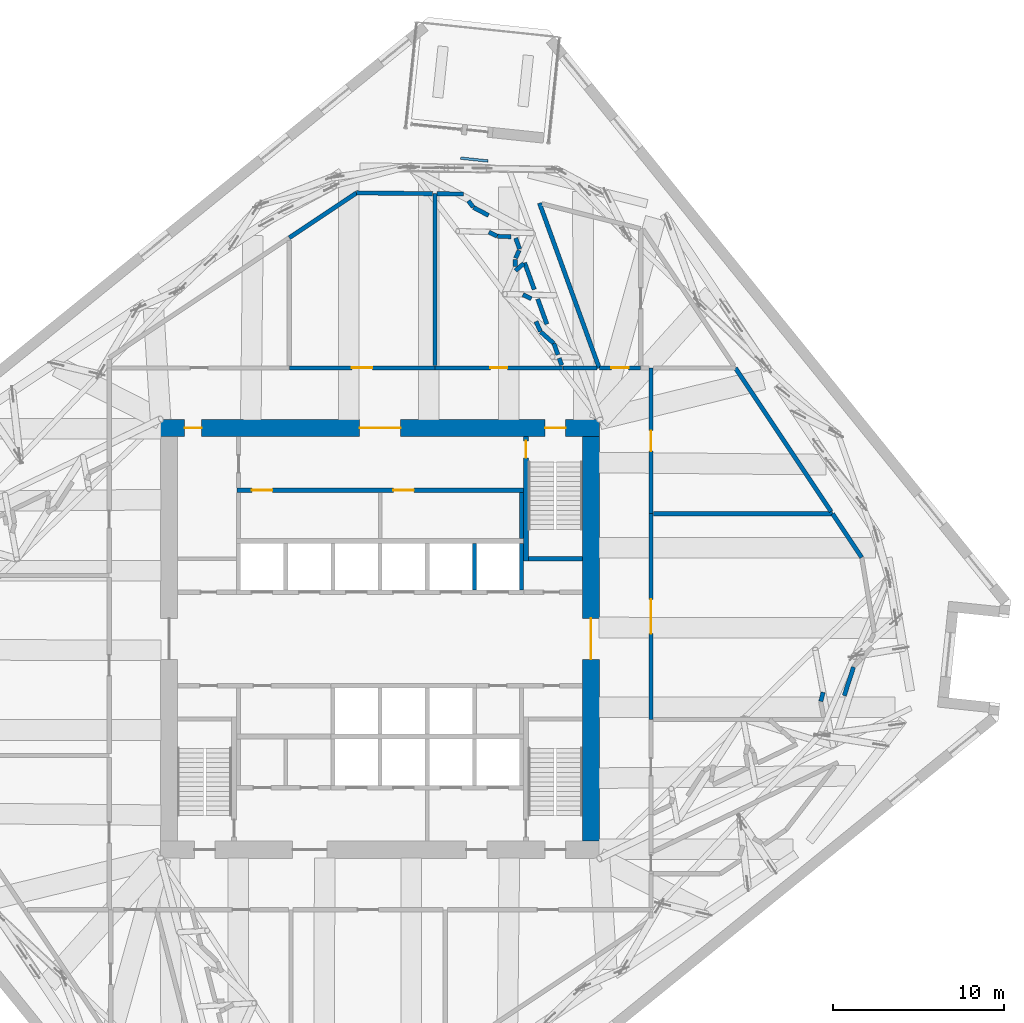
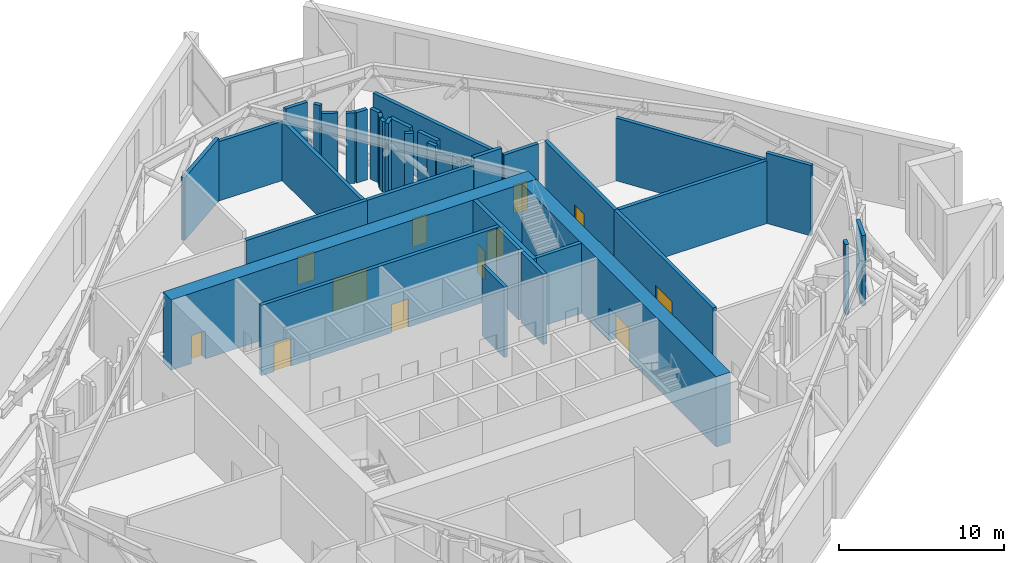
# One storey, part 11 of 17: 40 walls, 12 doors, 12 openings.
"""IFC4 building model written with IfcOpenShell, lengths in metres."""

import ifcopenshell
import ifcopenshell.guid

model = None  # the IFC model being written
_history = None  # IfcOwnerHistory: only IFC2X3 demands one
_inside = {}  # id of a spatial element -> (the spatial element, [elements in it])
_under = {}  # id of a project, library or spatial element -> (it, [spatial elements below it])
_declared = {}  # id of a project -> (the project, [libraries it declares])
_typed = {}  # id of a type object -> (the type object, [elements of that type])
_made_of = {}  # id of a material, layer set ... -> (it, [elements and type objects made of it])


def new_model(schema):
    """Start an empty IFC model of exactly this schema.

    Asked for "IFC4X3", IfcOpenShell would pick the latest addendum, in which some entities
    have other attributes; the version numbers below select the first issue.
    IFC2X3 requires an IfcOwnerHistory on every rooted entity: one is made here for all.
    """
    global model, _history
    if schema == "IFC4X3":
        model = ifcopenshell.file(schema_version=(4, 3, 0, 0))
    else:
        model = ifcopenshell.file(schema=schema)
    _inside.clear()
    _under.clear()
    _declared.clear()
    _typed.clear()
    _made_of.clear()
    _history = None
    if model.schema == "IFC2X3":
        org = make("IfcOrganization", Name="unknown")
        user = make(
            "IfcPersonAndOrganization",
            ThePerson=make("IfcPerson", FamilyName="unknown"),
            TheOrganization=org,
        )
        app = make(
            "IfcApplication",
            ApplicationDeveloper=org,
            Version="unknown",
            ApplicationFullName="unknown",
            ApplicationIdentifier="unknown",
        )
        _history = make(
            "IfcOwnerHistory",
            OwningUser=user,
            OwningApplication=app,
            ChangeAction="ADDED",
            CreationDate=0,
        )
    return model


def make(cls, **values):
    """One entity of the class cls with the attributes given. An attribute that is None is left unset."""
    return model.create_entity(
        cls, **{name: value for name, value in values.items() if value is not None}
    )


def rooted(cls, **values):
    """An entity with a GlobalId (a new one), such as an element, a storey or a relation."""
    return make(cls, GlobalId=ifcopenshell.guid.new(), OwnerHistory=_history, **values)


def si_unit(unit_type, name, prefix=None):
    """IfcSIUnit, for example si_unit("LENGTHUNIT", "METRE", prefix="MILLI")."""
    return make("IfcSIUnit", UnitType=unit_type, Prefix=prefix, Name=name)


def assignment(units):
    """IfcUnitAssignment: the units of a project."""
    return None if units is None else make("IfcUnitAssignment", Units=units)


def point(xyz):
    """IfcCartesianPoint."""
    return None if xyz is None else make("IfcCartesianPoint", Coordinates=xyz)


def direction(xyz):
    """IfcDirection."""
    return None if xyz is None else make("IfcDirection", DirectionRatios=xyz)


def frame(location, z_axis=None, x_axis=None):
    """IfcAxis2Placement3D, a coordinate frame: its origin and axes. An axis left out is left unset."""
    return make(
        "IfcAxis2Placement3D",
        Location=point(location),
        Axis=direction(z_axis),
        RefDirection=direction(x_axis),
    )


def frame_2d(location, x_axis=None):
    """IfcAxis2Placement2D, a coordinate frame in the plane: its origin and x axis."""
    return make(
        "IfcAxis2Placement2D", Location=point(location), RefDirection=direction(x_axis)
    )


def origin():
    """The frame at (0, 0, 0) with its axes left unset."""
    return frame((0.0, 0.0, 0.0))


def place(relative_to, where):
    """IfcLocalPlacement: puts the frame where relative to a parent placement (None: the world)."""
    return make(
        "IfcLocalPlacement", PlacementRelTo=relative_to, RelativePlacement=where
    )


def context(
    kind, dimensions, precision=None, world=None, true_north=None, identifier=None
):
    """IfcGeometricRepresentationContext, for example the 3D "Model" context."""
    return make(
        "IfcGeometricRepresentationContext",
        ContextIdentifier=identifier,
        ContextType=kind,
        CoordinateSpaceDimension=dimensions,
        Precision=precision,
        WorldCoordinateSystem=world,
        TrueNorth=true_north,
    )


def subcontext(parent, identifier, kind, view, scale=None):
    """IfcGeometricRepresentationSubContext, for example "Body" below "Model"."""
    return make(
        "IfcGeometricRepresentationSubContext",
        ContextIdentifier=identifier,
        ContextType=kind,
        ParentContext=parent,
        TargetScale=scale,
        TargetView=view,
    )


def project(units=None, contexts=None):
    """IfcProject with its units and contexts."""
    return rooted(
        "IfcProject",
        Name="project",
        RepresentationContexts=contexts,
        UnitsInContext=assignment(units),
    )


def spatial(cls, under=None, at=None, **own):
    """A site, building, storey or space (cls), placed at a placement, below another one or the project."""
    s = rooted(cls, ObjectPlacement=at, **own)
    if under is not None:
        _under.setdefault(under.id(), (under, []))[1].append(s)
    return s


def profile(cls, at=None, kind="AREA", **sizes):
    """A parametric profile (cls). Its sizes go by their IFC names, for example OverallWidth=200.0."""
    return make(cls, ProfileType=kind, Position=at, **sizes)


def rectangle(**sizes):
    """IfcRectangleProfileDef."""
    return profile("IfcRectangleProfileDef", **sizes)


def extrude(swept, where, along, depth):
    """IfcExtrudedAreaSolid: the profile swept, set in the frame where, extruded along a direction by depth."""
    return make(
        "IfcExtrudedAreaSolid",
        SweptArea=swept,
        Position=where,
        ExtrudedDirection=direction(along),
        Depth=depth,
    )


def shape(context_of_items, identifier, shape_type, items):
    """IfcShapeRepresentation: the items that make up one representation, for example the "Body"."""
    return make(
        "IfcShapeRepresentation",
        ContextOfItems=context_of_items,
        RepresentationIdentifier=identifier,
        RepresentationType=shape_type,
        Items=items,
    )


def material(Name=None, Category=None):
    """IfcMaterial."""
    return make("IfcMaterial", Name=Name, Category=Category)


def layer(
    of_material, thickness, ventilated=None, Name=None, Category=None, Priority=None
):
    """IfcMaterialLayer: one layer of a wall or slab, of a material (None: an air gap)."""
    return make(
        "IfcMaterialLayer",
        Material=of_material,
        LayerThickness=thickness,
        IsVentilated=ventilated,
        Name=Name,
        Category=Category,
        Priority=Priority,
    )


def layer_set(layers, Name=None):
    """IfcMaterialLayerSet."""
    return make("IfcMaterialLayerSet", MaterialLayers=layers, LayerSetName=Name)


def made_of(thing, what):
    """Note that an element or type object is made of a material, layer set ...; save() writes the relation."""
    if what is not None:
        _made_of.setdefault(what.id(), (what, []))[1].append(thing)
    return thing


def type_object(cls, material=None, **own):
    """A type object (cls), such as IfcWallType, which elements share."""
    return made_of(rooted(cls, **own), material)


def element(
    cls,
    number,
    at=None,
    inside=None,
    cuts=None,
    type_object=None,
    material=None,
    context=None,
    identifier="Body",
    shape_type=None,
    held_by="IfcProductDefinitionShape",
    body=None,
    shapes=None,
    **own,
):
    """One element of the class cls, such as IfcWall. Its Tag is "e" and its number.

    at: its placement. inside: the storey or other place that contains it. cuts: it is an
    opening in that element (IfcRelVoidsElement). A single representation is given by context,
    identifier, shape_type and body (its items); several are given by shapes. held_by: the class
    of the entity that holds the representations. save() writes the other relations.
    """
    e = rooted(cls, Tag="e%d" % number, ObjectPlacement=at, **own)
    if body is not None:
        shapes = [shape(context, identifier, shape_type, body)]
    if shapes is not None:
        e.Representation = make(held_by, Representations=shapes)
    if inside is not None:
        _inside.setdefault(inside.id(), (inside, []))[1].append(e)
    if cuts is not None:
        rooted(
            "IfcRelVoidsElement", RelatingBuildingElement=cuts, RelatedOpeningElement=e
        )
    if type_object is not None:
        _typed.setdefault(type_object.id(), (type_object, []))[1].append(e)
    return made_of(e, material)


def fill(opening, filler):
    """IfcRelFillsElement: the door or window that sits in an opening."""
    return rooted(
        "IfcRelFillsElement",
        RelatingOpeningElement=opening,
        RelatedBuildingElement=filler,
    )


def aggregate(whole, parts):
    """IfcRelAggregates: a whole, such as a stair, and the parts it consists of."""
    return rooted("IfcRelAggregates", RelatingObject=whole, RelatedObjects=parts)


def save(model, path):
    """Write the relations noted so far, then the file.

    IfcRelAggregates (storeys below a building ...), IfcRelContainedInSpatialStructure (elements
    in a storey), IfcRelDefinesByType, IfcRelAssociatesMaterial and IfcRelDeclares: one each for
    every whole, place, type object, material and project.
    """
    for whole, parts in _under.values():
        aggregate(whole, parts)
    for where, things in _inside.values():
        rooted(
            "IfcRelContainedInSpatialStructure",
            RelatedElements=things,
            RelatingStructure=where,
        )
    for kind, things in _typed.values():
        rooted("IfcRelDefinesByType", RelatedObjects=things, RelatingType=kind)
    for what, things in _made_of.values():
        rooted("IfcRelAssociatesMaterial", RelatedObjects=things, RelatingMaterial=what)
    for by, libraries in _declared.values():
        rooted("IfcRelDeclares", RelatingContext=by, RelatedDefinitions=libraries)
    model.write(path)


model = new_model("IFC4")

# Units and contexts
model_context = context("Model", 3, precision=1e-05, world=origin(), true_north=direction((0.0, 1.0)))
body_context = subcontext(model_context, "Body", "Model", "MODEL_VIEW")
ifc_project = project(units=[si_unit("LENGTHUNIT", "METRE"), si_unit("AREAUNIT", "SQUARE_METRE"), si_unit("VOLUMEUNIT", "CUBIC_METRE"), si_unit("PLANEANGLEUNIT", "RADIAN"), si_unit("MASSUNIT", "GRAM", prefix="KILO")], contexts=[model_context])

# Site, building, storey
site_placement = place(None, origin())
site = spatial("IfcSite", under=ifc_project, at=site_placement, CompositionType="ELEMENT")
building_placement = place(site_placement, origin())
building = spatial("IfcBuilding", under=site, at=building_placement, Name="Dilmun Exchange Tower", CompositionType="ELEMENT")
storey_placement = place(building_placement, frame((0.0, 0.0, 183.699951171875)))
storey = spatial("IfcBuildingStorey", under=building, at=storey_placement, Name="L43", CompositionType="ELEMENT", Elevation=183.699951171875)

# Wall
ifc_material_1 = material(Name="Concrete C40/50", Category="concrete")
ifc_layer_1 = layer(ifc_material_1, 0.25)
ifc_layer_set_1 = layer_set([ifc_layer_1], Name="Concrete C40/50")
wall_type_1 = type_object("IfcWallType", Name="Core partition wall 250", PredefinedType="PARTITIONING", material=ifc_layer_set_1)
wall_1_placement = place(storey_placement, frame((8.25, 5.85498046875, 0.0), z_axis=(0.0, 0.0, 1.0), x_axis=(0.0, 1.0, 0.0)))
element("IfcWall", 1, at=wall_1_placement, inside=storey, type_object=wall_type_1, Name="L43 core partition wall 15", PredefinedType="PARTITIONING", context=body_context, shape_type="SweptSolid", body=[
    extrude(rectangle(XDim=2.68994140625, YDim=0.25, at=frame_2d((1.344970703125, 0.0))), origin(), (0.0, 0.0, 1.0), 5.219970703125),
])

# Wall, openings, doors
wall_2_placement = place(storey_placement, frame((-8.35009765625, 8.675048828125, 0.0), z_axis=(0.0, 0.0, 1.0), x_axis=(1.0, 0.0, 0.0)))
wall_2 = element("IfcWall", 2, at=wall_2_placement, inside=storey, type_object=wall_type_1, Name="L43 core partition wall 16", PredefinedType="PARTITIONING", context=body_context, shape_type="SweptSolid", body=[
    extrude(rectangle(XDim=16.72021484375, YDim=0.25, at=frame_2d((8.360107421875, 0.0))), origin(), (0.0, 0.0, 1.0), 5.219970703125),
])
opening_1_placement = place(wall_2_placement, frame((0.875, 0.0, 0.0)))
opening_1 = element("IfcOpeningElement", 3, at=opening_1_placement, cuts=wall_2, Name="Opening CD3", PredefinedType="OPENING", context=body_context, shape_type="SweptSolid", body=[
    extrude(rectangle(XDim=1.199951171875, YDim=2.10009765625, at=frame_2d((0.60009765625, 1.050048828125))), frame((0.0, 0.135009765625, 0.0), z_axis=(0.0, -1.0, 0.0), x_axis=(1.0, 0.0, 0.0)), (0.0, 0.0, 1.0), 0.27001953125),
])
opening_2_placement = place(wall_2_placement, frame((9.125, 0.0, 0.0)))
opening_2 = element("IfcOpeningElement", 4, at=opening_2_placement, cuts=wall_2, Name="Opening CD3", PredefinedType="OPENING", context=body_context, shape_type="SweptSolid", body=[
    extrude(rectangle(XDim=1.199951171875, YDim=2.10009765625, at=frame_2d((0.60009765625, 1.050048828125))), frame((0.0, 0.135009765625, 0.0), z_axis=(0.0, -1.0, 0.0), x_axis=(1.0, 0.0, 0.0)), (0.0, 0.0, 1.0), 0.27001953125),
])
ifc_material_2 = material(Name="Fire-rated steel door set", Category="steel")
door_type_1 = type_object("IfcDoorType", Name="Stair exit door 1200x2100", OperationType="SINGLE_SWING_LEFT", PredefinedType="DOOR", material=ifc_material_2)
door_1_placement = place(opening_1_placement, origin())
door_1 = element("IfcDoor", 5, at=door_1_placement, inside=storey, type_object=door_type_1, Name="L43 door Building management office", OperationType="SINGLE_SWING_LEFT", OverallHeight=2.10009765625, OverallWidth=1.199951171875, PredefinedType="DOOR", context=body_context, shape_type="SweptSolid", body=[
    extrude(rectangle(XDim=1.199951171875, YDim=2.10009765625, at=frame_2d((0.60009765625, 1.050048828125))), frame((0.0, 0.02490234375, 0.0), z_axis=(0.0, -1.0, 0.0), x_axis=(1.0, 0.0, 0.0)), (0.0, 0.0, 1.0), 0.050048828125),
])
fill(opening_1, door_1)
door_2_placement = place(opening_2_placement, origin())
door_2 = element("IfcDoor", 6, at=door_2_placement, inside=storey, type_object=door_type_1, Name="L43 door Tenant meeting suite", OperationType="SINGLE_SWING_LEFT", OverallHeight=2.10009765625, OverallWidth=1.199951171875, PredefinedType="DOOR", context=body_context, shape_type="SweptSolid", body=[
    extrude(rectangle(XDim=1.199951171875, YDim=2.10009765625, at=frame_2d((0.60009765625, 1.050048828125))), frame((0.0, 0.02490234375, 0.0), z_axis=(0.0, -1.0, 0.0), x_axis=(1.0, 0.0, 0.0)), (0.0, 0.0, 1.0), 0.050048828125),
])
fill(opening_2, door_2)

ifc_material_3 = material(Name="Concrete C70/85", Category="concrete")
ifc_layer_2 = layer(ifc_material_3, 1.0)
ifc_layer_set_2 = layer_set([ifc_layer_2], Name="Concrete C70/85")
wall_type_2 = type_object("IfcWallType", Name="Core shear wall 1000 Concrete C70/85", PredefinedType="SHEAR", material=ifc_layer_set_2)
wall_3_placement = place(storey_placement, frame((-12.800048828125, 12.300048828125, 0.0), z_axis=(0.0, 0.0, 1.0), x_axis=(1.0, 0.0, 0.0)))
wall_3 = element("IfcWall", 7, at=wall_3_placement, inside=storey, type_object=wall_type_2, Name="L43 core shear wall N", PredefinedType="SHEAR", context=body_context, shape_type="SweptSolid", body=[
    extrude(rectangle(XDim=25.60009765625, YDim=1.0, at=frame_2d((12.800048828125, 0.0))), origin(), (0.0, 0.0, 1.0), 5.219970703125),
])
opening_3_placement = place(wall_3_placement, frame((11.60009765625, 0.0, 0.0)))
opening_3 = element("IfcOpeningElement", 8, at=opening_3_placement, cuts=wall_3, Name="Opening CD1", PredefinedType="OPENING", context=body_context, shape_type="SweptSolid", body=[
    extrude(rectangle(XDim=2.39990234375, YDim=2.39990234375, at=frame_2d((1.199951171875, 1.199951171875))), frame((0.0, 0.510009765625, 0.0), z_axis=(0.0, -1.0, 0.0), x_axis=(1.0, 0.0, 0.0)), (0.0, 0.0, 1.0), 1.02001953125),
])
opening_4_placement = place(wall_3_placement, frame((22.425048828125, 0.0, 0.0)))
opening_4 = element("IfcOpeningElement", 9, at=opening_4_placement, cuts=wall_3, Name="Opening CD3", PredefinedType="OPENING", context=body_context, shape_type="SweptSolid", body=[
    extrude(rectangle(XDim=1.199951171875, YDim=2.10009765625, at=frame_2d((0.60009765625, 1.050048828125))), frame((0.0, 0.510009765625, 0.0), z_axis=(0.0, -1.0, 0.0), x_axis=(1.0, 0.0, 0.0)), (0.0, 0.0, 1.0), 1.02001953125),
])
opening_5_placement = place(wall_3_placement, frame((1.39990234375, 0.0, 0.0)))
opening_5 = element("IfcOpeningElement", 10, at=opening_5_placement, cuts=wall_3, Name="Opening CD4", PredefinedType="OPENING", context=body_context, shape_type="SweptSolid", body=[
    extrude(rectangle(XDim=1.0, YDim=2.10009765625, at=frame_2d((0.5, 1.050048828125))), frame((0.0, 0.510009765625, 0.0), z_axis=(0.0, -1.0, 0.0), x_axis=(1.0, 0.0, 0.0)), (0.0, 0.0, 1.0), 1.02001953125),
])
door_type_2 = type_object("IfcDoorType", Name="Core lobby door 2400x2400", OperationType="DOUBLE_DOOR_DOUBLE_SWING", PredefinedType="DOOR", material=ifc_material_2)
door_3_placement = place(opening_3_placement, origin())
door_3 = element("IfcDoor", 11, at=door_3_placement, inside=storey, type_object=door_type_2, Name="L43 door North lift lobby", OperationType="SINGLE_SWING_LEFT", OverallHeight=2.39990234375, OverallWidth=2.39990234375, PredefinedType="DOOR", context=body_context, shape_type="SweptSolid", body=[
    extrude(rectangle(XDim=2.39990234375, YDim=2.39990234375, at=frame_2d((1.199951171875, 1.199951171875))), frame((0.0, 0.02490234375, 0.0), z_axis=(0.0, -1.0, 0.0), x_axis=(1.0, 0.0, 0.0)), (0.0, 0.0, 1.0), 0.050048828125),
])
fill(opening_3, door_3)
door_type_3 = type_object("IfcDoorType", Name="Core room door 1000x2100", OperationType="SINGLE_SWING_LEFT", PredefinedType="DOOR", material=ifc_material_2)
door_4_placement = place(opening_5_placement, origin())
door_4 = element("IfcDoor", 12, at=door_4_placement, inside=storey, type_object=door_type_3, Name="L43 door North-west core rooms", OperationType="SINGLE_SWING_LEFT", OverallHeight=2.10009765625, OverallWidth=1.0, PredefinedType="DOOR", context=body_context, shape_type="SweptSolid", body=[
    extrude(rectangle(XDim=1.0, YDim=2.10009765625, at=frame_2d((0.5, 1.050048828125))), frame((0.0, 0.02490234375, 0.0), z_axis=(0.0, -1.0, 0.0), x_axis=(1.0, 0.0, 0.0)), (0.0, 0.0, 1.0), 0.050048828125),
])
fill(opening_5, door_4)
door_5_placement = place(opening_4_placement, origin())
door_5 = element("IfcDoor", 13, at=door_5_placement, inside=storey, type_object=door_type_1, Name="L43 door Stair ST1", OperationType="SINGLE_SWING_LEFT", OverallHeight=2.10009765625, OverallWidth=1.199951171875, PredefinedType="DOOR", context=body_context, shape_type="SweptSolid", body=[
    extrude(rectangle(XDim=1.199951171875, YDim=2.10009765625, at=frame_2d((0.60009765625, 1.050048828125))), frame((0.0, 0.02490234375, 0.0), z_axis=(0.0, -1.0, 0.0), x_axis=(1.0, 0.0, 0.0)), (0.0, 0.0, 1.0), 0.050048828125),
])
fill(opening_4, door_5)

# Wall, opening, door
wall_4_placement = place(storey_placement, frame((12.300048828125, -11.800048828125, 0.0), z_axis=(0.0, 0.0, 1.0), x_axis=(0.0, 1.0, 0.0)))
wall_4 = element("IfcWall", 14, at=wall_4_placement, inside=storey, type_object=wall_type_2, Name="L43 core shear wall E", PredefinedType="SHEAR", context=body_context, shape_type="SweptSolid", body=[
    extrude(rectangle(XDim=23.60009765625, YDim=1.0, at=frame_2d((11.800048828125, 0.0))), origin(), (0.0, 0.0, 1.0), 5.219970703125),
])
opening_6_placement = place(wall_4_placement, frame((10.60009765625, 0.0, 0.0)))
opening_6 = element("IfcOpeningElement", 15, at=opening_6_placement, cuts=wall_4, Name="Opening CD1", PredefinedType="OPENING", context=body_context, shape_type="SweptSolid", body=[
    extrude(rectangle(XDim=2.39990234375, YDim=2.39990234375, at=frame_2d((1.199951171875, 1.199951171875))), frame((0.0, 0.510009765625, 0.0), z_axis=(0.0, -1.0, 0.0), x_axis=(1.0, 0.0, 0.0)), (0.0, 0.0, 1.0), 1.02001953125),
])
door_6_placement = place(opening_6_placement, origin())
door_6 = element("IfcDoor", 16, at=door_6_placement, inside=storey, type_object=door_type_2, Name="L43 door Central lift lobby", OperationType="SINGLE_SWING_LEFT", OverallHeight=2.39990234375, OverallWidth=2.39990234375, PredefinedType="DOOR", context=body_context, shape_type="SweptSolid", body=[
    extrude(rectangle(XDim=2.39990234375, YDim=2.39990234375, at=frame_2d((1.199951171875, 1.199951171875))), frame((0.0, 0.02490234375, 0.0), z_axis=(0.0, -1.0, 0.0), x_axis=(1.0, 0.0, 0.0)), (0.0, 0.0, 1.0), 0.050048828125),
])
fill(opening_6, door_6)

# Walls
ifc_layer_3 = layer(ifc_material_1, 0.25)
ifc_layer_set_3 = layer_set([ifc_layer_3], Name="Concrete C40/50")
wall_type_3 = type_object("IfcWallType", Name="Lift shaft wall 250", PredefinedType="SOLIDWALL", material=ifc_layer_set_3)
for number, where, z_axis, x_axis, name in (
    (17, (5.5, 2.85009765625, 0.0), (0.0, 0.0, 1.0), (0.0, 1.0, 0.0), "L43 lift shaft divider N15"),
    (18, (8.25, 2.85009765625, 0.0), (0.0, 0.0, 1.0), (0.0, 1.0, 0.0), "L43 lift shaft divider N16"),
):
    element("IfcWall", number, at=place(storey_placement, frame(where, z_axis=z_axis, x_axis=x_axis)), inside=storey, type_object=wall_type_3, Name=name, PredefinedType="SOLIDWALL", context=body_context, shape_type="SweptSolid", body=[
        extrude(rectangle(XDim=2.699951171875, YDim=0.25, at=frame_2d((1.35009765625, 0.0))), origin(), (0.0, 0.0, 1.0), 5.219970703125),
    ])

# Wall, opening, door
ifc_material_4 = material(Name="Concrete C32/40", Category="concrete")
ifc_layer_4 = layer(ifc_material_4, 0.25)
ifc_layer_set_4 = layer_set([ifc_layer_4], Name="Concrete C32/40")
wall_type_4 = type_object("IfcWallType", Name="Plant room wall 250", PredefinedType="PARTITIONING", material=ifc_layer_set_4)
wall_5_placement = place(storey_placement, frame((15.800048828125, -4.695068359375, 0.0), z_axis=(0.0, 0.0, 1.0), x_axis=(0.0, 1.0, 0.0)))
wall_5 = element("IfcWall", 19, at=wall_5_placement, inside=storey, type_object=wall_type_4, Name="L43 plant room wall 66", PredefinedType="PARTITIONING", context=body_context, shape_type="SweptSolid", body=[
    extrude(rectangle(XDim=11.9951171875, YDim=0.25, at=frame_2d((5.99755859375, 0.0))), origin(), (0.0, 0.0, 1.0), 4.650146484375),
])
opening_7_placement = place(wall_5_placement, frame((4.9951171875, 0.0, 0.0)))
opening_7 = element("IfcOpeningElement", 20, at=opening_7_placement, cuts=wall_5, Name="Opening PD3", PredefinedType="OPENING", context=body_context, shape_type="SweptSolid", body=[
    extrude(rectangle(XDim=2.0, YDim=2.10009765625, at=frame_2d((1.0, 1.050048828125))), frame((0.0, 0.135009765625, 0.0), z_axis=(0.0, -1.0, 0.0), x_axis=(1.0, 0.0, 0.0)), (0.0, 0.0, 1.0), 0.27001953125),
])
door_type_4 = type_object("IfcDoorType", Name="Plant room door 2000x2100", OperationType="DOUBLE_DOOR_DOUBLE_SWING", PredefinedType="DOOR", material=ifc_material_2)
door_7_placement = place(opening_7_placement, origin())
door_7 = element("IfcDoor", 21, at=door_7_placement, inside=storey, type_object=door_type_4, Name="L43 door Water tank room", OperationType="SINGLE_SWING_LEFT", OverallHeight=2.10009765625, OverallWidth=2.0, PredefinedType="DOOR", context=body_context, shape_type="SweptSolid", body=[
    extrude(rectangle(XDim=2.0, YDim=2.10009765625, at=frame_2d((1.0, 1.050048828125))), frame((0.0, 0.02490234375, 0.0), z_axis=(0.0, -1.0, 0.0), x_axis=(1.0, 0.0, 0.0)), (0.0, 0.0, 1.0), 0.050048828125),
])
fill(opening_7, door_7)

# Walls
wall_6_placement = place(storey_placement, frame((25.699951171875, -3.640380859375, 0.0), z_axis=(0.0, 0.0, 1.0), x_axis=(0.250448101466, 0.968130026635, 0.0)))
element("IfcWall", 22, at=wall_6_placement, inside=storey, type_object=wall_type_4, Name="L43 plant room wall 71", PredefinedType="PARTITIONING", context=body_context, shape_type="SweptSolid", body=[
    extrude(rectangle(XDim=0.5439453125, YDim=0.25, at=frame_2d((0.27197265625, 0.0))), origin(), (0.0, 0.0, 1.0), 5.219970703125),
])
wall_7_placement = place(storey_placement, frame((27.067626953125, -3.31103515625, 0.0), z_axis=(0.0, 0.0, 1.0), x_axis=(0.30805429815, 0.951368776759, 0.0)))
element("IfcWall", 23, at=wall_7_placement, inside=storey, type_object=wall_type_4, Name="L43 plant room wall 72", PredefinedType="PARTITIONING", context=body_context, shape_type="SweptSolid", body=[
    extrude(rectangle(XDim=1.75, YDim=0.25, at=frame_2d((0.875, 0.0))), origin(), (0.0, 0.0, 1.0), 5.219970703125),
])

# Wall, opening, door
wall_8_placement = place(storey_placement, frame((15.800048828125, 7.304931640625, 0.0), z_axis=(0.0, 0.0, 1.0), x_axis=(0.0, 1.0, 0.0)))
wall_8 = element("IfcWall", 24, at=wall_8_placement, inside=storey, type_object=wall_type_4, Name="L43 plant room wall 94", PredefinedType="PARTITIONING", context=body_context, shape_type="SweptSolid", body=[
    extrude(rectangle(XDim=8.4951171875, YDim=0.25, at=frame_2d((4.24755859375, 0.0))), origin(), (0.0, 0.0, 1.0), 4.650146484375),
])
opening_8_placement = place(wall_8_placement, frame((3.64501953125, 0.0, 0.0)))
opening_8 = element("IfcOpeningElement", 25, at=opening_8_placement, cuts=wall_8, Name="Opening PD2", PredefinedType="OPENING", context=body_context, shape_type="SweptSolid", body=[
    extrude(rectangle(XDim=1.199951171875, YDim=2.10009765625, at=frame_2d((0.60009765625, 1.050048828125))), frame((0.0, 0.135009765625, 0.0), z_axis=(0.0, -1.0, 0.0), x_axis=(1.0, 0.0, 0.0)), (0.0, 0.0, 1.0), 0.27001953125),
])
door_type_5 = type_object("IfcDoorType", Name="Plant room door 1200x2100", OperationType="SINGLE_SWING_LEFT", PredefinedType="DOOR", material=ifc_material_2)
door_8_placement = place(opening_8_placement, origin())
door_8 = element("IfcDoor", 26, at=door_8_placement, inside=storey, type_object=door_type_5, Name="L43 door Refuge area", OperationType="SINGLE_SWING_RIGHT", OverallHeight=2.10009765625, OverallWidth=1.199951171875, PredefinedType="DOOR", context=body_context, shape_type="SweptSolid", body=[
    extrude(rectangle(XDim=1.199951171875, YDim=2.10009765625, at=frame_2d((0.60009765625, 1.050048828125))), frame((0.0, 0.02490234375, 0.0), z_axis=(0.0, -1.0, 0.0), x_axis=(1.0, 0.0, 0.0)), (0.0, 0.0, 1.0), 0.050048828125),
])
fill(opening_8, door_8)

# Walls
wall_9_placement = place(storey_placement, frame((15.929931640625, 7.300048828125, 0.0), z_axis=(0.0, 0.0, 1.0), x_axis=(1.0, 0.0, 0.0)))
element("IfcWall", 27, at=wall_9_placement, inside=storey, type_object=wall_type_4, Name="L43 plant room wall 95", PredefinedType="PARTITIONING", context=body_context, shape_type="SweptSolid", body=[
    extrude(rectangle(XDim=10.451904296875, YDim=0.25, at=frame_2d((5.22607421875, 0.0))), origin(), (0.0, 0.0, 1.0), 4.650146484375),
])
wall_10_placement = place(storey_placement, frame((26.38671875, 7.29248046875, 0.0), z_axis=(0.0, 0.0, 1.0), x_axis=(0.554755527302, -0.832013404296, 0.0)))
element("IfcWall", 28, at=wall_10_placement, inside=storey, type_object=wall_type_4, Name="L43 plant room wall 96", PredefinedType="PARTITIONING", context=body_context, shape_type="SweptSolid", body=[
    extrude(rectangle(XDim=3.0546875, YDim=0.25, at=frame_2d((1.52734375, 0.0))), origin(), (0.0, 0.0, 1.0), 5.219970703125),
])

# Wall, opening, door
wall_11_placement = place(storey_placement, frame((-5.294921875, 15.800048828125, 0.0), z_axis=(0.0, 0.0, 1.0), x_axis=(1.0, 0.0, 0.0)))
wall_11 = element("IfcWall", 29, at=wall_11_placement, inside=storey, type_object=wall_type_4, Name="L43 plant room wall 108", PredefinedType="PARTITIONING", context=body_context, shape_type="SweptSolid", body=[
    extrude(rectangle(XDim=8.494873046875, YDim=0.25, at=frame_2d((4.24755859375, 0.0))), origin(), (0.0, 0.0, 1.0), 4.650146484375),
])
opening_9_placement = place(wall_11_placement, frame((3.64501953125, 0.0, 0.0)))
opening_9 = element("IfcOpeningElement", 30, at=opening_9_placement, cuts=wall_11, Name="Opening PD2", PredefinedType="OPENING", context=body_context, shape_type="SweptSolid", body=[
    extrude(rectangle(XDim=1.199951171875, YDim=2.10009765625, at=frame_2d((0.60009765625, 1.050048828125))), frame((0.0, 0.135009765625, 0.0), z_axis=(0.0, -1.0, 0.0), x_axis=(1.0, 0.0, 0.0)), (0.0, 0.0, 1.0), 0.27001953125),
])
door_9_placement = place(opening_9_placement, origin())
door_9 = element("IfcDoor", 31, at=door_9_placement, inside=storey, type_object=door_type_5, Name="L43 door Plant control room", OperationType="SINGLE_SWING_LEFT", OverallHeight=2.10009765625, OverallWidth=1.199951171875, PredefinedType="DOOR", context=body_context, shape_type="SweptSolid", body=[
    extrude(rectangle(XDim=1.199951171875, YDim=2.10009765625, at=frame_2d((0.60009765625, 1.050048828125))), frame((0.0, 0.02490234375, 0.0), z_axis=(0.0, -1.0, 0.0), x_axis=(1.0, 0.0, 0.0)), (0.0, 0.0, 1.0), 0.050048828125),
])
fill(opening_9, door_9)

wall_12_placement = place(storey_placement, frame((3.205078125, 15.800048828125, 0.0), z_axis=(0.0, 0.0, 1.0), x_axis=(1.0, 0.0, 0.0)))
wall_12 = element("IfcWall", 32, at=wall_12_placement, inside=storey, type_object=wall_type_4, Name="L43 plant room wall 109", PredefinedType="PARTITIONING", context=body_context, shape_type="SweptSolid", body=[
    extrude(rectangle(XDim=7.4443359375, YDim=0.25, at=frame_2d((3.72216796875, 0.0))), origin(), (0.0, 0.0, 1.0), 4.650146484375),
])
opening_10_placement = place(wall_12_placement, frame((3.219482421875, 0.0, 0.0)))
opening_10 = element("IfcOpeningElement", 33, at=opening_10_placement, cuts=wall_12, Name="Opening PD1", PredefinedType="OPENING", context=body_context, shape_type="SweptSolid", body=[
    extrude(rectangle(XDim=1.0, YDim=2.10009765625, at=frame_2d((0.5, 1.050048828125))), frame((0.0, 0.135009765625, 0.0), z_axis=(0.0, -1.0, 0.0), x_axis=(1.0, 0.0, 0.0)), (0.0, 0.0, 1.0), 0.27001953125),
])
door_type_6 = type_object("IfcDoorType", Name="Plant room door 1000x2100", OperationType="SINGLE_SWING_LEFT", PredefinedType="DOOR", material=ifc_material_2)
door_10_placement = place(opening_10_placement, origin())
door_10 = element("IfcDoor", 34, at=door_10_placement, inside=storey, type_object=door_type_6, Name="L43 door Plant BMS control room", OperationType="SINGLE_SWING_RIGHT", OverallHeight=2.10009765625, OverallWidth=1.0, PredefinedType="DOOR", context=body_context, shape_type="SweptSolid", body=[
    extrude(rectangle(XDim=1.0, YDim=2.10009765625, at=frame_2d((0.5, 1.050048828125))), frame((0.0, 0.02490234375, 0.0), z_axis=(0.0, -1.0, 0.0), x_axis=(1.0, 0.0, 0.0)), (0.0, 0.0, 1.0), 0.050048828125),
])
fill(opening_10, door_10)

# Walls
wall_13_placement = place(storey_placement, frame((9.294189453125, 25.410400390625, 0.0), z_axis=(0.0, 0.0, 1.0), x_axis=(0.340684270524, -0.940177763945, 0.0)))
element("IfcWall", 35, at=wall_13_placement, inside=storey, type_object=wall_type_4, Name="L43 plant room wall 110", PredefinedType="PARTITIONING", context=body_context, shape_type="SweptSolid", body=[
    extrude(rectangle(XDim=10.221923828125, YDim=0.25, at=frame_2d((5.11083984375, 0.0))), origin(), (0.0, 0.0, 1.0), 4.650146484375),
])
wall_14_placement = place(storey_placement, frame((10.654296875, 15.800048828125, 0.0), z_axis=(0.0, 0.0, 1.0), x_axis=(1.0, 0.0, 0.0)))
element("IfcWall", 36, at=wall_14_placement, inside=storey, type_object=wall_type_4, Name="L43 plant room wall 111", PredefinedType="PARTITIONING", context=body_context, shape_type="SweptSolid", body=[
    extrude(rectangle(XDim=1.98388671875, YDim=0.25, at=frame_2d((0.991943359375, 0.0))), origin(), (0.0, 0.0, 1.0), 5.219970703125),
])

# Wall, opening, door
wall_15_placement = place(storey_placement, frame((12.791259765625, 15.800048828125, 0.0), z_axis=(0.0, 0.0, 1.0), x_axis=(1.0, 0.0, 0.0)))
wall_15 = element("IfcWall", 37, at=wall_15_placement, inside=storey, type_object=wall_type_4, Name="L43 plant room wall 112", PredefinedType="PARTITIONING", context=body_context, shape_type="SweptSolid", body=[
    extrude(rectangle(XDim=2.40869140625, YDim=0.25, at=frame_2d((1.204345703125, 0.0))), origin(), (0.0, 0.0, 1.0), 4.650146484375),
])
opening_11_placement = place(wall_15_placement, frame((0.6962890625, 0.0, 0.0)))
opening_11 = element("IfcOpeningElement", 38, at=opening_11_placement, cuts=wall_15, Name="Opening PD1", PredefinedType="OPENING", context=body_context, shape_type="SweptSolid", body=[
    extrude(rectangle(XDim=1.0, YDim=2.10009765625, at=frame_2d((0.5, 1.050048828125))), frame((0.0, 0.135009765625, 0.0), z_axis=(0.0, -1.0, 0.0), x_axis=(1.0, 0.0, 0.0)), (0.0, 0.0, 1.0), 0.27001953125),
])
door_11_placement = place(opening_11_placement, origin())
door_11 = element("IfcDoor", 39, at=door_11_placement, inside=storey, type_object=door_type_6, Name="L43 door Comms plant room", OperationType="SINGLE_SWING_LEFT", OverallHeight=2.10009765625, OverallWidth=1.0, PredefinedType="DOOR", context=body_context, shape_type="SweptSolid", body=[
    extrude(rectangle(XDim=1.0, YDim=2.10009765625, at=frame_2d((0.5, 1.050048828125))), frame((0.0, 0.02490234375, 0.0), z_axis=(0.0, -1.0, 0.0), x_axis=(1.0, 0.0, 0.0)), (0.0, 0.0, 1.0), 0.050048828125),
])
fill(opening_11, door_11)

# Walls
wall_16_placement = place(storey_placement, frame((20.7197265625, 15.79248046875, 0.0), z_axis=(0.0, 0.0, 1.0), x_axis=(0.554728223717, -0.832031608661, 0.0)))
element("IfcWall", 40, at=wall_16_placement, inside=storey, type_object=wall_type_4, Name="L43 plant room wall 115", PredefinedType="PARTITIONING", context=body_context, shape_type="SweptSolid", body=[
    extrude(rectangle(XDim=10.05078125, YDim=0.25, at=frame_2d((5.025390625, 0.0))), origin(), (0.0, 0.0, 1.0), 4.650146484375),
])
wall_17_placement = place(storey_placement, frame((10.443359375, 16.368408203125, 0.0), z_axis=(0.0, 0.0, 1.0), x_axis=(0.340799323621, -0.940136065162, 0.0)))
element("IfcWall", 41, at=wall_17_placement, inside=storey, type_object=wall_type_4, Name="L43 plant room wall 116", PredefinedType="PARTITIONING", context=body_context, shape_type="SweptSolid", body=[
    extrude(rectangle(XDim=0.436279296875, YDim=0.25, at=frame_2d((0.21826171875, 0.0))), origin(), (0.0, 0.0, 1.0), 4.650146484375),
])
wall_18_placement = place(storey_placement, frame((10.132568359375, 17.22607421875, 0.0), z_axis=(0.0, 0.0, 1.0), x_axis=(0.340483580909, -0.940250461915, 0.0)))
element("IfcWall", 42, at=wall_18_placement, inside=storey, type_object=wall_type_4, Name="L43 plant room wall 118", PredefinedType="PARTITIONING", context=body_context, shape_type="SweptSolid", body=[
    extrude(rectangle(XDim=0.700439453125, YDim=0.25, at=frame_2d((0.35009765625, 0.0))), origin(), (0.0, 0.0, 1.0), 4.650146484375),
])
wall_19_placement = place(storey_placement, frame((9.3671875, 17.89990234375, 0.0), z_axis=(0.0, 0.0, 1.0), x_axis=(0.750694411998, -0.660649604401, 0.0)))
element("IfcWall", 43, at=wall_19_placement, inside=storey, type_object=wall_type_4, Name="L43 plant room wall 119", PredefinedType="PARTITIONING", context=body_context, shape_type="SweptSolid", body=[
    extrude(rectangle(XDim=1.013916015625, YDim=0.25, at=frame_2d((0.5068359375, 0.0))), origin(), (0.0, 0.0, 1.0), 4.650146484375),
])
wall_20_placement = place(storey_placement, frame((9.093017578125, 18.511474609375, 0.0), z_axis=(0.0, 0.0, 1.0), x_axis=(0.400659145617, -0.916227181999, 0.0)))
element("IfcWall", 44, at=wall_20_placement, inside=storey, type_object=wall_type_4, Name="L43 plant room wall 120", PredefinedType="PARTITIONING", context=body_context, shape_type="SweptSolid", body=[
    extrude(rectangle(XDim=0.6416015625, YDim=0.25, at=frame_2d((0.32080078125, 0.0))), origin(), (0.0, 0.0, 1.0), 5.219970703125),
])
wall_21_placement = place(storey_placement, frame((9.193603515625, 19.817626953125, 0.0), z_axis=(0.0, 0.0, 1.0), x_axis=(0.340586616003, -0.940213144452, 0.0)))
element("IfcWall", 45, at=wall_21_placement, inside=storey, type_object=wall_type_4, Name="L43 plant room wall 121", PredefinedType="PARTITIONING", context=body_context, shape_type="SweptSolid", body=[
    extrude(rectangle(XDim=1.559814453125, YDim=0.25, at=frame_2d((0.77978515625, 0.0))), origin(), (0.0, 0.0, 1.0), 5.219970703125),
])
wall_22_placement = place(storey_placement, frame((8.331298828125, 20.076171875, 0.0), z_axis=(0.0, 0.0, 1.0), x_axis=(0.895054417189, -0.445956937687, 0.0)))
element("IfcWall", 46, at=wall_22_placement, inside=storey, type_object=wall_type_4, Name="L43 plant room wall 122", PredefinedType="PARTITIONING", context=body_context, shape_type="SweptSolid", body=[
    extrude(rectangle(XDim=0.544189453125, YDim=0.25, at=frame_2d((0.27197265625, 0.0))), origin(), (0.0, 0.0, 1.0), 5.219970703125),
])
wall_23_placement = place(storey_placement, frame((7.89697265625, 21.46875, 0.0), z_axis=(0.0, 0.0, 1.0), x_axis=(0.753424657534, 0.657534246575, 0.0)))
element("IfcWall", 47, at=wall_23_placement, inside=storey, type_object=wall_type_4, Name="L43 plant room wall 123", PredefinedType="PARTITIONING", context=body_context, shape_type="SweptSolid", body=[
    extrude(rectangle(XDim=0.6416015625, YDim=0.25, at=frame_2d((0.32080078125, 0.0))), origin(), (0.0, 0.0, 1.0), 5.219970703125),
])
wall_24_placement = place(storey_placement, frame((8.427490234375, 21.931884765625, 0.0), z_axis=(0.0, 0.0, 1.0), x_axis=(0.340712993314, -0.940167355414, 0.0)))
element("IfcWall", 48, at=wall_24_placement, inside=storey, type_object=wall_type_4, Name="L43 plant room wall 124", PredefinedType="PARTITIONING", context=body_context, shape_type="SweptSolid", body=[
    extrude(rectangle(XDim=1.656005859375, YDim=0.25, at=frame_2d((0.828125, 0.0))), origin(), (0.0, 0.0, 1.0), 5.219970703125),
])
wall_25_placement = place(storey_placement, frame((7.8740234375, 22.114990234375, 0.0), z_axis=(0.0, 0.0, 1.0), x_axis=(0.019132299867, -0.999816960799, 0.0)))
element("IfcWall", 49, at=wall_25_placement, inside=storey, type_object=wall_type_4, Name="L43 plant room wall 125", PredefinedType="PARTITIONING", context=body_context, shape_type="SweptSolid", body=[
    extrude(rectangle(XDim=0.3955078125, YDim=0.25, at=frame_2d((0.19775390625, 0.0))), origin(), (0.0, 0.0, 1.0), 5.219970703125),
])
wall_26_placement = place(storey_placement, frame((7.905517578125, 22.201416015625, 0.0), z_axis=(0.0, 0.0, 1.0), x_axis=(0.404855396111, 0.9143807239, 0.0)))
element("IfcWall", 50, at=wall_26_placement, inside=storey, type_object=wall_type_4, Name="L43 plant room wall 126", PredefinedType="PARTITIONING", context=body_context, shape_type="SweptSolid", body=[
    extrude(rectangle(XDim=0.494384765625, YDim=0.25, at=frame_2d((0.2470703125, 0.0))), origin(), (0.0, 0.0, 1.0), 5.219970703125),
])
wall_27_placement = place(storey_placement, frame((7.906494140625, 23.369140625, 0.0), z_axis=(0.0, 0.0, 1.0), x_axis=(0.340874962081, -0.940108642778, 0.0)))
element("IfcWall", 51, at=wall_27_placement, inside=storey, type_object=wall_type_4, Name="L43 plant room wall 127", PredefinedType="PARTITIONING", context=body_context, shape_type="SweptSolid", body=[
    extrude(rectangle(XDim=0.677490234375, YDim=0.25, at=frame_2d((0.3388671875, 0.0))), origin(), (0.0, 0.0, 1.0), 5.219970703125),
])
wall_28_placement = place(storey_placement, frame((-5.2958984375, 23.39111328125, 0.0), z_axis=(0.0, 0.0, 1.0), x_axis=(0.831994551778, 0.554783800964, 0.0)))
element("IfcWall", 52, at=wall_28_placement, inside=storey, type_object=wall_type_4, Name="L43 plant room wall 129", PredefinedType="PARTITIONING", context=body_context, shape_type="SweptSolid", body=[
    extrude(rectangle(XDim=4.717041015625, YDim=0.25, at=frame_2d((2.3583984375, 0.0))), origin(), (0.0, 0.0, 1.0), 4.650146484375),
])
wall_29_placement = place(storey_placement, frame((6.859619140625, 23.472900390625, 0.0), z_axis=(0.0, 0.0, 1.0), x_axis=(0.999677861021, -0.02538058676, 0.0)))
element("IfcWall", 53, at=wall_29_placement, inside=storey, type_object=wall_type_4, Name="L43 plant room wall 130", PredefinedType="PARTITIONING", context=body_context, shape_type="SweptSolid", body=[
    extrude(rectangle(XDim=0.76953125, YDim=0.25, at=frame_2d((0.384765625, 0.0))), origin(), (0.0, 0.0, 1.0), 5.219970703125),
])
wall_30_placement = place(storey_placement, frame((6.343994140625, 23.72216796875, 0.0), z_axis=(0.0, 0.0, 1.0), x_axis=(0.89550135363, -0.445058788978, 0.0)))
element("IfcWall", 54, at=wall_30_placement, inside=storey, type_object=wall_type_4, Name="L43 plant room wall 131", PredefinedType="PARTITIONING", context=body_context, shape_type="SweptSolid", body=[
    extrude(rectangle(XDim=0.544189453125, YDim=0.25, at=frame_2d((0.27197265625, 0.0))), origin(), (0.0, 0.0, 1.0), 5.219970703125),
])
wall_31_placement = place(storey_placement, frame((5.44921875, 25.15771484375, 0.0), z_axis=(0.0, 0.0, 1.0), x_axis=(0.883138107458, -0.469113081416, 0.0)))
element("IfcWall", 55, at=wall_31_placement, inside=storey, type_object=wall_type_4, Name="L43 plant room wall 134", PredefinedType="PARTITIONING", context=body_context, shape_type="SweptSolid", body=[
    extrude(rectangle(XDim=0.98828125, YDim=0.25, at=frame_2d((0.494140625, 0.0))), origin(), (0.0, 0.0, 1.0), 4.650146484375),
])
wall_32_placement = place(storey_placement, frame((5.148681640625, 25.545654296875, 0.0), z_axis=(0.0, 0.0, 1.0), x_axis=(0.601943047413, -0.798539020756, 0.0)))
element("IfcWall", 56, at=wall_32_placement, inside=storey, type_object=wall_type_4, Name="L43 plant room wall 136", PredefinedType="PARTITIONING", context=body_context, shape_type="SweptSolid", body=[
    extrude(rectangle(XDim=0.4619140625, YDim=0.25, at=frame_2d((0.23095703125, 0.0))), origin(), (0.0, 0.0, 1.0), 5.219970703125),
])
wall_33_placement = place(storey_placement, frame((3.199951171875, 15.929931640625, 0.0), z_axis=(0.0, 0.0, 1.0), x_axis=(0.0, 1.0, 0.0)))
element("IfcWall", 57, at=wall_33_placement, inside=storey, type_object=wall_type_4, Name="L43 plant room wall 137", PredefinedType="PARTITIONING", context=body_context, shape_type="SweptSolid", body=[
    extrude(rectangle(XDim=10.027587890625, YDim=0.25, at=frame_2d((5.013671875, 0.0))), origin(), (0.0, 0.0, 1.0), 4.400146484375),
])
wall_34_placement = place(storey_placement, frame((3.330078125, 25.9560546875, 0.0), z_axis=(0.0, 0.0, 1.0), x_axis=(0.999938731956, -0.011069432457, 0.0)))
element("IfcWall", 58, at=wall_34_placement, inside=storey, type_object=wall_type_4, Name="L43 plant room wall 138", PredefinedType="PARTITIONING", context=body_context, shape_type="SweptSolid", body=[
    extrude(rectangle(XDim=1.521728515625, YDim=0.25, at=frame_2d((0.7607421875, 0.0))), origin(), (0.0, 0.0, 1.0), 5.219970703125),
])
wall_35_placement = place(storey_placement, frame((-1.365234375, 26.0078125, 0.0), z_axis=(0.0, 0.0, 1.0), x_axis=(0.999939413442, -0.011007699399, 0.0)))
element("IfcWall", 59, at=wall_35_placement, inside=storey, type_object=wall_type_4, Name="L43 plant room wall 139", PredefinedType="PARTITIONING", context=body_context, shape_type="SweptSolid", body=[
    extrude(rectangle(XDim=4.435791015625, YDim=0.25, at=frame_2d((2.2177734375, 0.0))), origin(), (0.0, 0.0, 1.0), 4.400146484375),
])
ifc_layer_5 = layer(ifc_material_1, 0.25)
ifc_layer_set_5 = layer_set([ifc_layer_5], Name="Concrete C40/50")
wall_type_5 = type_object("IfcWallType", Name="Stair end wall 250", PredefinedType="SOLIDWALL", material=ifc_layer_set_5)
wall_36_placement = place(storey_placement, frame((8.64990234375, 4.675048828125, 0.0), z_axis=(0.0, 0.0, 1.0), x_axis=(1.0, 0.0, 0.0)))
element("IfcWall", 60, at=wall_36_placement, inside=storey, type_object=wall_type_5, Name="L43 ST1 far wall", PredefinedType="SOLIDWALL", context=body_context, shape_type="SweptSolid", body=[
    extrude(rectangle(XDim=3.150146484375, YDim=0.25, at=frame_2d((1.5751953125, 0.0))), origin(), (0.0, 0.0, 1.0), 5.219970703125),
])

# Wall, opening, door
ifc_layer_6 = layer(ifc_material_1, 0.27490234375)
ifc_layer_set_6 = layer_set([ifc_layer_6], Name="Concrete C40/50")
wall_type_6 = type_object("IfcWallType", Name="Stair wall 275", PredefinedType="SOLIDWALL", material=ifc_layer_set_6)
wall_37_placement = place(storey_placement, frame((8.512451171875, 4.550048828125, 0.0), z_axis=(0.0, 0.0, 1.0), x_axis=(0.0, 1.0, 0.0)))
wall_37 = element("IfcWall", 61, at=wall_37_placement, inside=storey, type_object=wall_type_6, Name="L43 ST1 wall to lift block", PredefinedType="SOLIDWALL", context=body_context, shape_type="SweptSolid", body=[
    extrude(rectangle(XDim=7.25, YDim=0.27490234375, at=frame_2d((3.625, 0.0))), origin(), (0.0, 0.0, 1.0), 5.219970703125),
])
opening_12_placement = place(wall_37_placement, frame((6.0, 0.0, 0.0)))
opening_12 = element("IfcOpeningElement", 62, at=opening_12_placement, cuts=wall_37, Name="Opening CD4", PredefinedType="OPENING", context=body_context, shape_type="SweptSolid", body=[
    extrude(rectangle(XDim=1.0, YDim=2.10009765625, at=frame_2d((0.5, 1.050048828125))), frame((0.0, 0.1474609375, 0.0), z_axis=(0.0, -1.0, 0.0), x_axis=(1.0, 0.0, 0.0)), (0.0, 0.0, 1.0), 0.294921875),
])
door_12_placement = place(opening_12_placement, origin())
door_12 = element("IfcDoor", 63, at=door_12_placement, inside=storey, type_object=door_type_3, Name="L43 door ST1 from lobby", OperationType="SINGLE_SWING_LEFT", OverallHeight=2.10009765625, OverallWidth=1.0, PredefinedType="DOOR", context=body_context, shape_type="SweptSolid", body=[
    extrude(rectangle(XDim=1.0, YDim=2.10009765625, at=frame_2d((0.5, 1.050048828125))), frame((0.0, 0.02490234375, 0.0), z_axis=(0.0, -1.0, 0.0), x_axis=(1.0, 0.0, 0.0)), (0.0, 0.0, 1.0), 0.050048828125),
])
fill(opening_12, door_12)

# Wall
ifc_layer_7 = layer(ifc_material_4, 0.14990234375)
ifc_layer_set_7 = layer_set([ifc_layer_7], Name="Concrete C32/40")
wall_type_7 = type_object("IfcWallType", Name="Truss kerb wall 150", PredefinedType="PARTITIONING", material=ifc_layer_set_7)
wall_38_placement = place(storey_placement, frame((6.292724609375, 27.865234375, 0.0), z_axis=(0.0, 0.0, 1.0), x_axis=(-0.994522996201, 0.104517989015, 0.0)))
element("IfcWall", 64, at=wall_38_placement, inside=storey, type_object=wall_type_7, Name="L43 truss kerb wall", PredefinedType="PARTITIONING", context=body_context, shape_type="SweptSolid", body=[
    extrude(rectangle(XDim=1.60009765625, YDim=0.14990234375, at=frame_2d((0.800048828125, 0.0))), origin(), (0.0, 0.0, 1.0), 0.699951171875),
])

save(model, "model.ifc")
